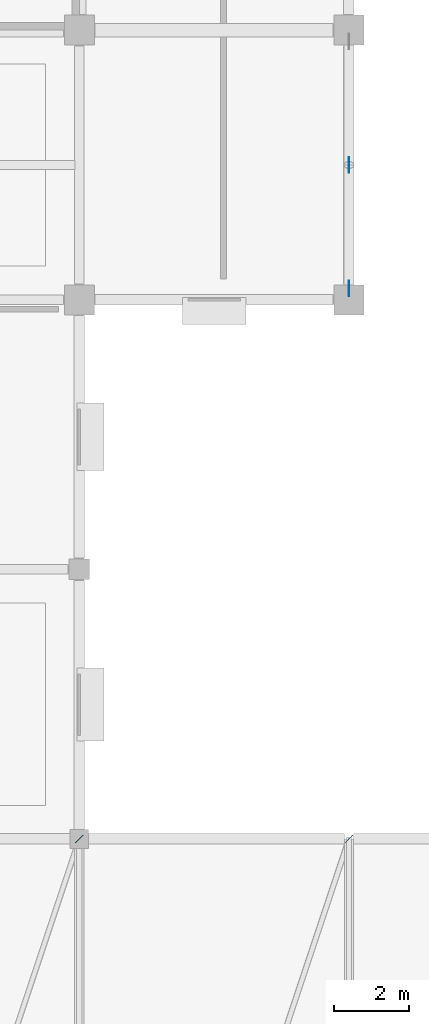
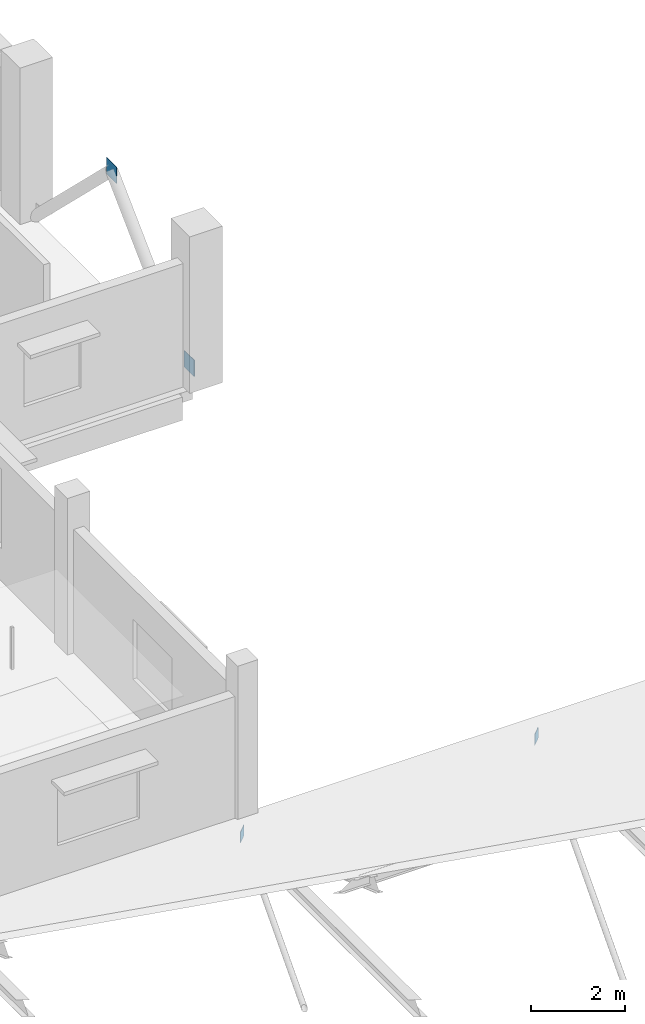
# One storey, part 68 of 108: 4 plates.
"""IFC4 building model written with IfcOpenShell, lengths in metres."""

import ifcopenshell
import ifcopenshell.guid

model = None  # the IFC model being written
_history = None  # IfcOwnerHistory: only IFC2X3 demands one
_inside = {}  # id of a spatial element -> (the spatial element, [elements in it])
_under = {}  # id of a project, library or spatial element -> (it, [spatial elements below it])
_declared = {}  # id of a project -> (the project, [libraries it declares])
_typed = {}  # id of a type object -> (the type object, [elements of that type])
_made_of = {}  # id of a material, layer set ... -> (it, [elements and type objects made of it])


def new_model(schema):
    """Start an empty IFC model of exactly this schema.

    Asked for "IFC4X3", IfcOpenShell would pick the latest addendum, in which some entities
    have other attributes; the version numbers below select the first issue.
    IFC2X3 requires an IfcOwnerHistory on every rooted entity: one is made here for all.
    """
    global model, _history
    if schema == "IFC4X3":
        model = ifcopenshell.file(schema_version=(4, 3, 0, 0))
    else:
        model = ifcopenshell.file(schema=schema)
    _inside.clear()
    _under.clear()
    _declared.clear()
    _typed.clear()
    _made_of.clear()
    _history = None
    if model.schema == "IFC2X3":
        org = make("IfcOrganization", Name="unknown")
        user = make(
            "IfcPersonAndOrganization",
            ThePerson=make("IfcPerson", FamilyName="unknown"),
            TheOrganization=org,
        )
        app = make(
            "IfcApplication",
            ApplicationDeveloper=org,
            Version="unknown",
            ApplicationFullName="unknown",
            ApplicationIdentifier="unknown",
        )
        _history = make(
            "IfcOwnerHistory",
            OwningUser=user,
            OwningApplication=app,
            ChangeAction="ADDED",
            CreationDate=0,
        )
    return model


def make(cls, **values):
    """One entity of the class cls with the attributes given. An attribute that is None is left unset."""
    return model.create_entity(
        cls, **{name: value for name, value in values.items() if value is not None}
    )


def rooted(cls, **values):
    """An entity with a GlobalId (a new one), such as an element, a storey or a relation."""
    return make(cls, GlobalId=ifcopenshell.guid.new(), OwnerHistory=_history, **values)


def si_unit(unit_type, name, prefix=None):
    """IfcSIUnit, for example si_unit("LENGTHUNIT", "METRE", prefix="MILLI")."""
    return make("IfcSIUnit", UnitType=unit_type, Prefix=prefix, Name=name)


def assignment(units):
    """IfcUnitAssignment: the units of a project."""
    return None if units is None else make("IfcUnitAssignment", Units=units)


def point(xyz):
    """IfcCartesianPoint."""
    return None if xyz is None else make("IfcCartesianPoint", Coordinates=xyz)


def direction(xyz):
    """IfcDirection."""
    return None if xyz is None else make("IfcDirection", DirectionRatios=xyz)


def frame(location, z_axis=None, x_axis=None):
    """IfcAxis2Placement3D, a coordinate frame: its origin and axes. An axis left out is left unset."""
    return make(
        "IfcAxis2Placement3D",
        Location=point(location),
        Axis=direction(z_axis),
        RefDirection=direction(x_axis),
    )


def frame_2d(location, x_axis=None):
    """IfcAxis2Placement2D, a coordinate frame in the plane: its origin and x axis."""
    return make(
        "IfcAxis2Placement2D", Location=point(location), RefDirection=direction(x_axis)
    )


def origin():
    """The frame at (0, 0, 0) with its axes left unset."""
    return frame((0.0, 0.0, 0.0))


def origin_2d():
    """The frame at (0, 0) in the plane with its x axis left unset."""
    return frame_2d((0.0, 0.0))


def place(relative_to, where):
    """IfcLocalPlacement: puts the frame where relative to a parent placement (None: the world)."""
    return make(
        "IfcLocalPlacement", PlacementRelTo=relative_to, RelativePlacement=where
    )


def context(
    kind, dimensions, precision=None, world=None, true_north=None, identifier=None
):
    """IfcGeometricRepresentationContext, for example the 3D "Model" context."""
    return make(
        "IfcGeometricRepresentationContext",
        ContextIdentifier=identifier,
        ContextType=kind,
        CoordinateSpaceDimension=dimensions,
        Precision=precision,
        WorldCoordinateSystem=world,
        TrueNorth=true_north,
    )


def subcontext(parent, identifier, kind, view, scale=None):
    """IfcGeometricRepresentationSubContext, for example "Body" below "Model"."""
    return make(
        "IfcGeometricRepresentationSubContext",
        ContextIdentifier=identifier,
        ContextType=kind,
        ParentContext=parent,
        TargetScale=scale,
        TargetView=view,
    )


def project(units=None, contexts=None):
    """IfcProject with its units and contexts."""
    return rooted(
        "IfcProject",
        Name="project",
        RepresentationContexts=contexts,
        UnitsInContext=assignment(units),
    )


def spatial(cls, under=None, at=None, **own):
    """A site, building, storey or space (cls), placed at a placement, below another one or the project."""
    s = rooted(cls, ObjectPlacement=at, **own)
    if under is not None:
        _under.setdefault(under.id(), (under, []))[1].append(s)
    return s


def profile(cls, at=None, kind="AREA", **sizes):
    """A parametric profile (cls). Its sizes go by their IFC names, for example OverallWidth=200.0."""
    return make(cls, ProfileType=kind, Position=at, **sizes)


def rectangle(**sizes):
    """IfcRectangleProfileDef."""
    return profile("IfcRectangleProfileDef", **sizes)


def extrude(swept, where, along, depth):
    """IfcExtrudedAreaSolid: the profile swept, set in the frame where, extruded along a direction by depth."""
    return make(
        "IfcExtrudedAreaSolid",
        SweptArea=swept,
        Position=where,
        ExtrudedDirection=direction(along),
        Depth=depth,
    )


def shape(context_of_items, identifier, shape_type, items):
    """IfcShapeRepresentation: the items that make up one representation, for example the "Body"."""
    return make(
        "IfcShapeRepresentation",
        ContextOfItems=context_of_items,
        RepresentationIdentifier=identifier,
        RepresentationType=shape_type,
        Items=items,
    )


def material(Name=None, Category=None):
    """IfcMaterial."""
    return make("IfcMaterial", Name=Name, Category=Category)


def layer(
    of_material, thickness, ventilated=None, Name=None, Category=None, Priority=None
):
    """IfcMaterialLayer: one layer of a wall or slab, of a material (None: an air gap)."""
    return make(
        "IfcMaterialLayer",
        Material=of_material,
        LayerThickness=thickness,
        IsVentilated=ventilated,
        Name=Name,
        Category=Category,
        Priority=Priority,
    )


def layer_set(layers, Name=None):
    """IfcMaterialLayerSet."""
    return make("IfcMaterialLayerSet", MaterialLayers=layers, LayerSetName=Name)


def made_of(thing, what):
    """Note that an element or type object is made of a material, layer set ...; save() writes the relation."""
    if what is not None:
        _made_of.setdefault(what.id(), (what, []))[1].append(thing)
    return thing


def type_object(cls, material=None, **own):
    """A type object (cls), such as IfcWallType, which elements share."""
    return made_of(rooted(cls, **own), material)


def element(
    cls,
    number,
    at=None,
    inside=None,
    cuts=None,
    type_object=None,
    material=None,
    context=None,
    identifier="Body",
    shape_type=None,
    held_by="IfcProductDefinitionShape",
    body=None,
    shapes=None,
    **own,
):
    """One element of the class cls, such as IfcWall. Its Tag is "e" and its number.

    at: its placement. inside: the storey or other place that contains it. cuts: it is an
    opening in that element (IfcRelVoidsElement). A single representation is given by context,
    identifier, shape_type and body (its items); several are given by shapes. held_by: the class
    of the entity that holds the representations. save() writes the other relations.
    """
    e = rooted(cls, Tag="e%d" % number, ObjectPlacement=at, **own)
    if body is not None:
        shapes = [shape(context, identifier, shape_type, body)]
    if shapes is not None:
        e.Representation = make(held_by, Representations=shapes)
    if inside is not None:
        _inside.setdefault(inside.id(), (inside, []))[1].append(e)
    if cuts is not None:
        rooted(
            "IfcRelVoidsElement", RelatingBuildingElement=cuts, RelatedOpeningElement=e
        )
    if type_object is not None:
        _typed.setdefault(type_object.id(), (type_object, []))[1].append(e)
    return made_of(e, material)


def aggregate(whole, parts):
    """IfcRelAggregates: a whole, such as a stair, and the parts it consists of."""
    return rooted("IfcRelAggregates", RelatingObject=whole, RelatedObjects=parts)


def save(model, path):
    """Write the relations noted so far, then the file.

    IfcRelAggregates (storeys below a building ...), IfcRelContainedInSpatialStructure (elements
    in a storey), IfcRelDefinesByType, IfcRelAssociatesMaterial and IfcRelDeclares: one each for
    every whole, place, type object, material and project.
    """
    for whole, parts in _under.values():
        aggregate(whole, parts)
    for where, things in _inside.values():
        rooted(
            "IfcRelContainedInSpatialStructure",
            RelatedElements=things,
            RelatingStructure=where,
        )
    for kind, things in _typed.values():
        rooted("IfcRelDefinesByType", RelatedObjects=things, RelatingType=kind)
    for what, things in _made_of.values():
        rooted("IfcRelAssociatesMaterial", RelatedObjects=things, RelatingMaterial=what)
    for by, libraries in _declared.values():
        rooted("IfcRelDeclares", RelatingContext=by, RelatedDefinitions=libraries)
    model.write(path)


model = new_model("IFC4")

# Units and contexts
model_context = context("Model", 3, precision=1e-05, world=origin(), true_north=direction((0.0, 1.0)))
body_context = subcontext(model_context, "Body", "Model", "MODEL_VIEW")
ifc_project = project(units=[si_unit("LENGTHUNIT", "METRE"), si_unit("AREAUNIT", "SQUARE_METRE"), si_unit("VOLUMEUNIT", "CUBIC_METRE"), si_unit("PLANEANGLEUNIT", "RADIAN"), si_unit("MASSUNIT", "GRAM", prefix="KILO")], contexts=[model_context])

# Site, building, storey
site_placement = place(None, origin())
site = spatial("IfcSite", under=ifc_project, at=site_placement, CompositionType="ELEMENT")
building_placement = place(site_placement, origin())
building = spatial("IfcBuilding", under=site, at=building_placement, Name="Kangsadwip Square Police Headquarters", CompositionType="ELEMENT")
storey_placement = place(building_placement, frame((0.0, 0.0, 9.449951171875)))
storey = spatial("IfcBuildingStorey", under=building, at=storey_placement, Name="L02", CompositionType="ELEMENT", Elevation=9.449951171875)

# Plates
ifc_material_1 = material(Name="Structural steel IS 2062 E350 (Grade 350, 350 MPa)", Category="steel")
ifc_layer_1 = layer(ifc_material_1, 0.011962890625)
ifc_layer_set_1 = layer_set([ifc_layer_1], Name="Structural steel IS 2062 E350 (Grade 350, 350 MPa)")
plate_type_1 = type_object("IfcPlateType", Name="TrussEndCapPlate12", PredefinedType="USERDEFINED", material=ifc_layer_set_1)
for number, where, z_axis, x_axis, name in (
    (1, (14.39990234375, 21.60009765625, -0.66015625), (0.0, 0.0, 1.0), (0.707106781187, 0.707106781187, 0.0), "Truss Node Gusset Plate GP-L02-0124"),
    (2, (21.60009765625, 21.60009765625, -0.66015625), (0.0, 0.0, 1.0), (0.707106781187, 0.707106781187, 0.0), "Truss Node Gusset Plate GP-L02-0126"),
):
    element("IfcPlate", number, at=place(storey_placement, frame(where, z_axis=z_axis, x_axis=x_axis)), inside=storey, type_object=plate_type_1, Name=name, ObjectType="GUSSET_PLATE", PredefinedType="USERDEFINED", context=body_context, shape_type="SweptSolid", body=[
        extrude(rectangle(XDim=0.280029296875, YDim=0.011962890625, at=origin_2d()), origin(), (0.0, 0.0, 1.0), 0.280029296875),
    ])
ifc_material_2 = material(Name="Structural steel IS 2062 E350 (Grade 350, 350 MPa)", Category="steel")
ifc_layer_2 = layer(ifc_material_2, 0.01611328125)
ifc_layer_set_2 = layer_set([ifc_layer_2], Name="Structural steel IS 2062 E350 (Grade 350, 350 MPa)")
plate_type_2 = type_object("IfcPlateType", Name="TrussGussetPlate16", PredefinedType="USERDEFINED", material=ifc_layer_set_2)
for number, where, z_axis, x_axis, name in (
    (3, (21.60009765625, 39.60009765625, 3.0), (0.0, 0.0, 1.0), (0.0, 1.0, 0.0), "Truss Node Gusset Plate GP-L02-0133"),
    (4, (21.60009765625, 36.300048828125, 0.0), (0.0, 0.0, 1.0), (0.0, 1.0, 0.0), "Truss Node Gusset Plate GP-L02-0134"),
):
    element("IfcPlate", number, at=place(storey_placement, frame(where, z_axis=z_axis, x_axis=x_axis)), inside=storey, type_object=plate_type_2, Name=name, ObjectType="GUSSET_PLATE", PredefinedType="USERDEFINED", context=body_context, shape_type="SweptSolid", body=[
        extrude(rectangle(XDim=0.419921875, YDim=0.01611328125, at=origin_2d()), origin(), (0.0, 0.0, 1.0), 0.419921875),
    ])

save(model, "model.ifc")
